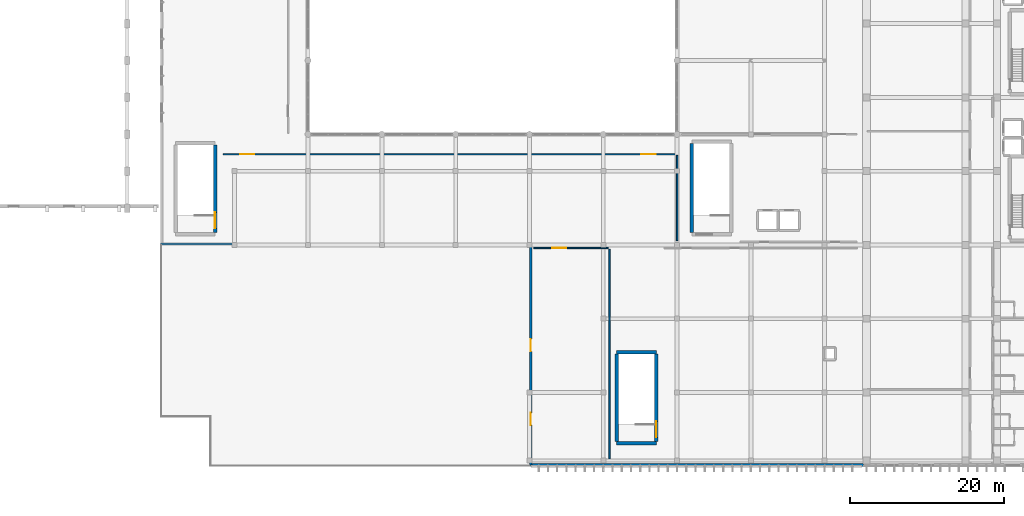
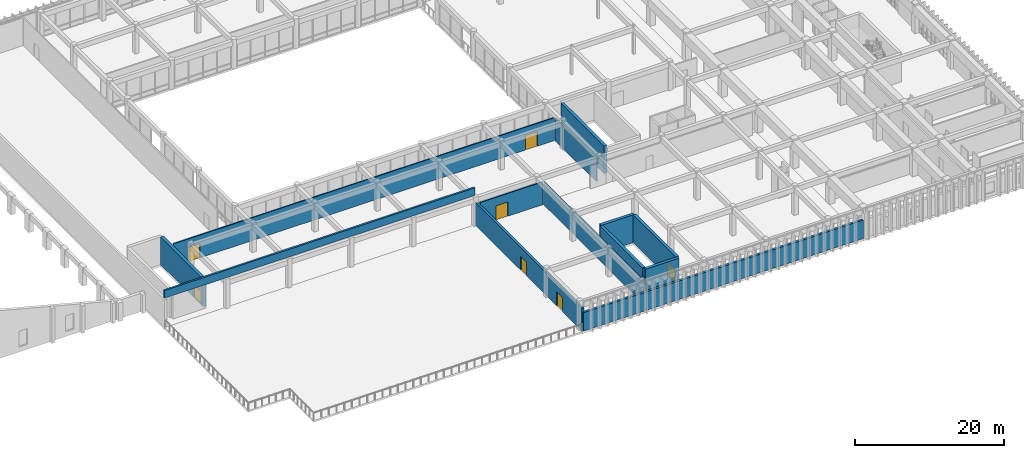
# One storey, part 73 of 101: 13 walls, 7 doors, 7 openings.
"""IFC4 building model written with IfcOpenShell, lengths in metres."""

from ifc_helpers import new_model, si_unit, direction, frame, frame_2d, origin, place, context, subcontext, project, spatial, rectangle, extrude, material, layer, layer_set, type_object, element, fill, save


model = new_model("IFC4")

# Units and contexts
model_context = context("Model", 3, precision=1e-05, world=origin(), true_north=direction((0.0, 1.0)))
body_context = subcontext(model_context, "Body", "Model", "MODEL_VIEW")
ifc_project = project(units=[si_unit("LENGTHUNIT", "METRE"), si_unit("AREAUNIT", "SQUARE_METRE"), si_unit("VOLUMEUNIT", "CUBIC_METRE"), si_unit("PLANEANGLEUNIT", "RADIAN"), si_unit("MASSUNIT", "GRAM", prefix="KILO")], contexts=[model_context])

# Site, building, storey
site_placement = place(None, origin())
site = spatial("IfcSite", under=ifc_project, at=site_placement, CompositionType="ELEMENT")
building_placement = place(site_placement, origin())
building = spatial("IfcBuilding", under=site, at=building_placement, Name="Nakhvara Creek Congress Hotel", CompositionType="ELEMENT")
storey_placement = place(building_placement, frame((0.0, 0.0, 16.199951171875)))
storey = spatial("IfcBuildingStorey", under=building, at=storey_placement, Name="L03", CompositionType="ELEMENT", Elevation=16.199951171875)

# Walls
ifc_material_1 = material(Name="Concrete C50/60", Category="concrete")
ifc_layer_1 = layer(ifc_material_1, 0.449951171875)
ifc_layer_set_1 = layer_set([ifc_layer_1], Name="Concrete C50/60")
wall_type_1 = type_object("IfcWallType", Name="W-CORE-450", PredefinedType="SHEAR", material=ifc_layer_set_1)
wall_1_placement = place(storey_placement, frame((126.72998046875, 30.39990234375, 0.0), z_axis=(0.0, 0.0, 1.0), x_axis=(0.0, 1.0, 0.0)))
element("IfcWall", 1, at=wall_1_placement, inside=storey, type_object=wall_type_1, Name="Core Shear Wall WS02-CWALL-L03-0838", PredefinedType="SHEAR", context=body_context, shape_type="SweptSolid", body=[
    extrude(rectangle(XDim=11.60009765625, YDim=0.449951171875, at=frame_2d((5.800048828125, 0.0))), origin(), (0.0, 0.0, 1.0), 4.5400390625),
])
for number, where, z_axis, x_axis, name in (
    (2, (116.949951171875, 2.97998046875, 0.0), (0.0, 0.0, 1.0), (1.0, 0.0, 0.0), "Core Shear Wall WS02-CWALL-L03-0975"),
    (3, (116.949951171875, 14.820068359375, 0.0), (0.0, 0.0, 1.0), (1.0, 0.0, 0.0), "Core Shear Wall WS02-CWALL-L03-0976"),
):
    element("IfcWall", number, at=place(storey_placement, frame(where, z_axis=z_axis, x_axis=x_axis)), inside=storey, type_object=wall_type_1, Name=name, PredefinedType="SHEAR", context=body_context, shape_type="SweptSolid", body=[
        extrude(rectangle(XDim=5.150146484375, YDim=0.449951171875, at=frame_2d((2.5751953125, 0.0))), origin(), (0.0, 0.0, 1.0), 4.5400390625),
    ])
wall_2_placement = place(storey_placement, frame((116.949951171875, 3.199951171875, 0.0), z_axis=(0.0, 0.0, 1.0), x_axis=(0.0, 1.0, 0.0)))
element("IfcWall", 4, at=wall_2_placement, inside=storey, type_object=wall_type_1, Name="Core Shear Wall WS02-CWALL-L03-0977", PredefinedType="SHEAR", context=body_context, shape_type="SweptSolid", body=[
    extrude(rectangle(XDim=11.400146484375, YDim=0.449951171875, at=frame_2d((5.7001953125, 0.0))), origin(), (0.0, 0.0, 1.0), 4.5400390625),
])

# Wall, opening, door
wall_3_placement = place(storey_placement, frame((122.10009765625, 3.199951171875, 0.0), z_axis=(0.0, 0.0, 1.0), x_axis=(0.0, 1.0, 0.0)))
wall_3 = element("IfcWall", 5, at=wall_3_placement, inside=storey, type_object=wall_type_1, Name="Core Shear Wall WS02-CWALL-L03-0978", PredefinedType="SHEAR", context=body_context, shape_type="SweptSolid", body=[
    extrude(rectangle(XDim=11.400146484375, YDim=0.449951171875, at=frame_2d((5.7001953125, 0.0))), origin(), (0.0, 0.0, 1.0), 4.5400390625),
])
opening_1_placement = place(wall_3_placement, frame((0.550048828125, 0.0, 0.0)))
opening_1 = element("IfcOpeningElement", 6, at=opening_1_placement, cuts=wall_3, Name="Opening FD19", PredefinedType="OPENING", context=body_context, shape_type="SweptSolid", body=[
    extrude(rectangle(XDim=2.10009765625, YDim=2.199951171875, at=frame_2d((1.050048828125, 1.10009765625))), frame((0.0, 0.23681640625, 0.0), z_axis=(0.0, -1.0, 0.0), x_axis=(1.0, 0.0, 0.0)), (0.0, 0.0, 1.0), 0.473876953125),
])
ifc_material_2 = material(Name="Galvanised steel acoustic fire door", Category="steel")
door_type_1 = type_object("IfcDoorType", Name="DT-STAIR-220", OperationType="DOUBLE_DOOR_SINGLE_SWING", PredefinedType="DOOR", material=ifc_material_2)
door_1_placement = place(opening_1_placement, frame((2.10009765625, 0.0, 0.0), z_axis=(0.0, 0.0, 1.0), x_axis=(-1.0, 0.0, 0.0)))
door_1 = element("IfcDoor", 7, at=door_1_placement, inside=storey, type_object=door_type_1, Name="Stair Exit Door ST12-L03", OperationType="DOUBLE_DOOR_SINGLE_SWING", OverallHeight=2.199951171875, OverallWidth=2.10009765625, PredefinedType="DOOR", context=body_context, shape_type="SweptSolid", body=[
    extrude(rectangle(XDim=2.10009765625, YDim=2.199951171875, at=frame_2d((1.050048828125, 1.10009765625))), frame((0.0, 0.02490234375, 0.0), z_axis=(0.0, -1.0, 0.0), x_axis=(1.0, 0.0, 0.0)), (0.0, 0.0, 1.0), 0.050048828125),
])
fill(opening_1, door_1)

wall_4_placement = place(storey_placement, frame((64.699951171875, 30.39990234375, 0.0), z_axis=(0.0, 0.0, 1.0), x_axis=(0.0, 1.0, 0.0)))
wall_4 = element("IfcWall", 8, at=wall_4_placement, inside=storey, type_object=wall_type_1, Name="Core Shear Wall WS02-CWALL-L03-1002", PredefinedType="SHEAR", context=body_context, shape_type="SweptSolid", body=[
    extrude(rectangle(XDim=11.400146484375, YDim=0.449951171875, at=frame_2d((5.7001953125, 0.0))), origin(), (0.0, 0.0, 1.0), 4.5400390625),
])
opening_2_placement = place(wall_4_placement, frame((0.550048828125, 0.0, 0.0)))
opening_2 = element("IfcOpeningElement", 9, at=opening_2_placement, cuts=wall_4, Name="Opening FD19", PredefinedType="OPENING", context=body_context, shape_type="SweptSolid", body=[
    extrude(rectangle(XDim=2.10009765625, YDim=2.199951171875, at=frame_2d((1.050048828125, 1.10009765625))), frame((0.0, 0.23681640625, 0.0), z_axis=(0.0, -1.0, 0.0), x_axis=(1.0, 0.0, 0.0)), (0.0, 0.0, 1.0), 0.473876953125),
])
door_2_placement = place(opening_2_placement, frame((2.10009765625, 0.0, 0.0), z_axis=(0.0, 0.0, 1.0), x_axis=(-1.0, 0.0, 0.0)))
door_2 = element("IfcDoor", 10, at=door_2_placement, inside=storey, type_object=door_type_1, Name="Stair Exit Door ST13-L03", OperationType="DOUBLE_DOOR_SINGLE_SWING", OverallHeight=2.199951171875, OverallWidth=2.10009765625, PredefinedType="DOOR", context=body_context, shape_type="SweptSolid", body=[
    extrude(rectangle(XDim=2.10009765625, YDim=2.199951171875, at=frame_2d((1.050048828125, 1.10009765625))), frame((0.0, 0.02490234375, 0.0), z_axis=(0.0, -1.0, 0.0), x_axis=(1.0, 0.0, 0.0)), (0.0, 0.0, 1.0), 0.050048828125),
])
fill(opening_2, door_2)

# Wall, openings, doors
ifc_material_3 = material(Name="Architectural GRC panel")
ifc_layer_2 = layer(ifc_material_3, 0.0400390625)
ifc_material_4 = material(Name="Mineral wool thermal insulation")
ifc_layer_3 = layer(ifc_material_4, 0.10009765625)
ifc_material_5 = material(Name="Precast concrete C40/50", Category="concrete")
ifc_layer_4 = layer(ifc_material_5, 0.199951171875)
ifc_layer_set_2 = layer_set([ifc_layer_2, ifc_layer_3, ifc_layer_4], Name="Precast concrete C40/50")
wall_type_2 = type_object("IfcWallType", Name="W-EXT-340", PredefinedType="SOLIDWALL", material=ifc_layer_set_2)
wall_5_placement = place(storey_placement, frame((105.77001953125, 0.14990234375, 0.0), z_axis=(0.0, 0.0, 1.0), x_axis=(0.0, 1.0, 0.0)))
wall_5 = element("IfcWall", 11, at=wall_5_placement, inside=storey, type_object=wall_type_2, Name="Exterior Wall WE04-EW-L03-0092", PredefinedType="SOLIDWALL", context=body_context, shape_type="SweptSolid", body=[
    extrude(rectangle(XDim=28.650146484375, YDim=0.340087890625, at=frame_2d((14.3251953125, 0.0))), origin(), (0.0, 0.0, 1.0), 3.73193359375),
])
opening_3_placement = place(wall_5_placement, frame((5.199951171875, 0.0, 0.0)))
opening_3 = element("IfcOpeningElement", 12, at=opening_3_placement, cuts=wall_5, Name="Opening TD03A", PredefinedType="OPENING", context=body_context, shape_type="SweptSolid", body=[
    extrude(rectangle(XDim=1.60009765625, YDim=2.25, at=frame_2d((0.800048828125, 1.125))), frame((0.0, 0.18212890625, 0.0), z_axis=(0.0, -1.0, 0.0), x_axis=(1.0, 0.0, 0.0)), (0.0, 0.0, 1.0), 0.364013671875),
])
opening_4_placement = place(wall_5_placement, frame((14.800048828125, 0.0, 0.0)))
opening_4 = element("IfcOpeningElement", 13, at=opening_4_placement, cuts=wall_5, Name="Opening TD03B", PredefinedType="OPENING", context=body_context, shape_type="SweptSolid", body=[
    extrude(rectangle(XDim=1.60009765625, YDim=2.25, at=frame_2d((0.800048828125, 1.125))), frame((0.0, 0.18212890625, 0.0), z_axis=(0.0, -1.0, 0.0), x_axis=(1.0, 0.0, 0.0)), (0.0, 0.0, 1.0), 0.364013671875),
])
ifc_material_6 = material(Name="Bronze-anodised aluminium and laminated low-E glass", Category="aluminium")
door_type_2 = type_object("IfcDoorType", Name="DT-EXT-TER160", OperationType="DOUBLE_DOOR_SINGLE_SWING", PredefinedType="DOOR", material=ifc_material_6)
door_3_placement = place(opening_3_placement, origin())
door_3 = element("IfcDoor", 14, at=door_3_placement, inside=storey, type_object=door_type_2, Name="Poolside Terrace Exit Door TD03A", OperationType="DOUBLE_DOOR_SINGLE_SWING", OverallHeight=2.25, OverallWidth=1.60009765625, PredefinedType="DOOR", context=body_context, shape_type="SweptSolid", body=[
    extrude(rectangle(XDim=1.60009765625, YDim=2.25, at=frame_2d((0.800048828125, 1.125))), frame((0.0, 0.02490234375, 0.0), z_axis=(0.0, -1.0, 0.0), x_axis=(1.0, 0.0, 0.0)), (0.0, 0.0, 1.0), 0.050048828125),
])
fill(opening_3, door_3)
door_4_placement = place(opening_4_placement, origin())
door_4 = element("IfcDoor", 15, at=door_4_placement, inside=storey, type_object=door_type_2, Name="Poolside Terrace Exit Door TD03B", OperationType="DOUBLE_DOOR_SINGLE_SWING", OverallHeight=2.25, OverallWidth=1.60009765625, PredefinedType="DOOR", context=body_context, shape_type="SweptSolid", body=[
    extrude(rectangle(XDim=1.60009765625, YDim=2.25, at=frame_2d((0.800048828125, 1.125))), frame((0.0, 0.02490234375, 0.0), z_axis=(0.0, -1.0, 0.0), x_axis=(1.0, 0.0, 0.0)), (0.0, 0.0, 1.0), 0.050048828125),
])
fill(opening_4, door_4)

# Wall
wall_6_placement = place(storey_placement, frame((149.050048828125, 0.169921875, 0.0), z_axis=(0.0, 0.0, 1.0), x_axis=(-1.0, 0.0, 0.0)))
element("IfcWall", 16, at=wall_6_placement, inside=storey, type_object=wall_type_2, Name="Exterior Wall WE04-EW-L03-0093", PredefinedType="SOLIDWALL", context=body_context, shape_type="SweptSolid", body=[
    extrude(rectangle(XDim=43.300048828125, YDim=0.340087890625, at=frame_2d((21.64990234375, 0.0))), origin(), (0.0, 0.0, 1.0), 3.031982421875),
])

# Wall, openings, doors
ifc_material_7 = material(Name="Gypsum acoustic board on steel stud", Category="steel")
ifc_layer_5 = layer(ifc_material_7, 0.179931640625)
ifc_layer_set_3 = layer_set([ifc_layer_5], Name="Gypsum acoustic board on steel stud")
wall_type_3 = type_object("IfcWallType", Name="W-MEET-180", PredefinedType="PARTITIONING", material=ifc_layer_set_3)
wall_7_placement = place(storey_placement, frame((65.75, 40.60009765625, 0.0), z_axis=(0.0, 0.0, 1.0), x_axis=(1.0, 0.0, 0.0)))
wall_7 = element("IfcWall", 17, at=wall_7_placement, inside=storey, type_object=wall_type_3, Name="Interior Wall WP13-IW-L03-0216", PredefinedType="PARTITIONING", context=body_context, shape_type="SweptSolid", body=[
    extrude(rectangle(XDim=58.89990234375, YDim=0.179931640625, at=frame_2d((29.449951171875, 0.0))), origin(), (0.0, 0.0, 1.0), 3.73193359375),
])
opening_5_placement = place(wall_7_placement, frame((2.199951171875, 0.0, 0.0)))
opening_5 = element("IfcOpeningElement", 18, at=opening_5_placement, cuts=wall_7, Name="Opening MD01", PredefinedType="OPENING", context=body_context, shape_type="SweptSolid", body=[
    extrude(rectangle(XDim=1.85009765625, YDim=2.35009765625, at=frame_2d((0.925048828125, 1.175048828125))), frame((0.0, 0.10205078125, 0.0), z_axis=(0.0, -1.0, 0.0), x_axis=(1.0, 0.0, 0.0)), (0.0, 0.0, 1.0), 0.203857421875),
])
opening_6_placement = place(wall_7_placement, frame((54.39990234375, 0.0, 0.0)))
opening_6 = element("IfcOpeningElement", 19, at=opening_6_placement, cuts=wall_7, Name="Opening MD01", PredefinedType="OPENING", context=body_context, shape_type="SweptSolid", body=[
    extrude(rectangle(XDim=1.85009765625, YDim=2.35009765625, at=frame_2d((0.925048828125, 1.175048828125))), frame((0.0, 0.10205078125, 0.0), z_axis=(0.0, -1.0, 0.0), x_axis=(1.0, 0.0, 0.0)), (0.0, 0.0, 1.0), 0.203857421875),
])
ifc_material_8 = material(Name="Acoustic walnut timber double door", Category="wood")
door_type_3 = type_object("IfcDoorType", Name="DT-MEET-185", OperationType="DOUBLE_DOOR_SINGLE_SWING", PredefinedType="DOOR", material=ifc_material_8)
door_5_placement = place(opening_5_placement, origin())
door_5 = element("IfcDoor", 20, at=door_5_placement, inside=storey, type_object=door_type_3, Name="Interior Door MD01-0196", OperationType="DOUBLE_DOOR_SINGLE_SWING", OverallHeight=2.35009765625, OverallWidth=1.85009765625, PredefinedType="DOOR", context=body_context, shape_type="SweptSolid", body=[
    extrude(rectangle(XDim=1.85009765625, YDim=2.35009765625, at=frame_2d((0.925048828125, 1.175048828125))), frame((0.0, 0.02490234375, 0.0), z_axis=(0.0, -1.0, 0.0), x_axis=(1.0, 0.0, 0.0)), (0.0, 0.0, 1.0), 0.050048828125),
])
fill(opening_5, door_5)
door_6_placement = place(opening_6_placement, origin())
door_6 = element("IfcDoor", 21, at=door_6_placement, inside=storey, type_object=door_type_3, Name="Interior Door MD01-0197", OperationType="DOUBLE_DOOR_SINGLE_SWING", OverallHeight=2.35009765625, OverallWidth=1.85009765625, PredefinedType="DOOR", context=body_context, shape_type="SweptSolid", body=[
    extrude(rectangle(XDim=1.85009765625, YDim=2.35009765625, at=frame_2d((0.925048828125, 1.175048828125))), frame((0.0, 0.02490234375, 0.0), z_axis=(0.0, -1.0, 0.0), x_axis=(1.0, 0.0, 0.0)), (0.0, 0.0, 1.0), 0.050048828125),
])
fill(opening_6, door_6)

# Wall, opening, door
wall_8_placement = place(storey_placement, frame((106.14990234375, 28.39990234375, 0.0), z_axis=(0.0, 0.0, 1.0), x_axis=(1.0, 0.0, 0.0)))
wall_8 = element("IfcWall", 22, at=wall_8_placement, inside=storey, type_object=wall_type_3, Name="Interior Wall WP13-IW-L03-0226", PredefinedType="PARTITIONING", context=body_context, shape_type="SweptSolid", body=[
    extrude(rectangle(XDim=9.7001953125, YDim=0.179931640625, at=frame_2d((4.85009765625, 0.0))), origin(), (0.0, 0.0, 1.0), 3.73193359375),
])
opening_7_placement = place(wall_8_placement, frame((2.39990234375, 0.0, 0.0)))
opening_7 = element("IfcOpeningElement", 23, at=opening_7_placement, cuts=wall_8, Name="Opening MD01", PredefinedType="OPENING", context=body_context, shape_type="SweptSolid", body=[
    extrude(rectangle(XDim=1.85009765625, YDim=2.35009765625, at=frame_2d((0.925048828125, 1.175048828125))), frame((0.0, 0.10205078125, 0.0), z_axis=(0.0, -1.0, 0.0), x_axis=(1.0, 0.0, 0.0)), (0.0, 0.0, 1.0), 0.203857421875),
])
door_7_placement = place(opening_7_placement, origin())
door_7 = element("IfcDoor", 24, at=door_7_placement, inside=storey, type_object=door_type_3, Name="Interior Door MD01-0208", OperationType="DOUBLE_DOOR_SINGLE_SWING", OverallHeight=2.35009765625, OverallWidth=1.85009765625, PredefinedType="DOOR", context=body_context, shape_type="SweptSolid", body=[
    extrude(rectangle(XDim=1.85009765625, YDim=2.35009765625, at=frame_2d((0.925048828125, 1.175048828125))), frame((0.0, 0.02490234375, 0.0), z_axis=(0.0, -1.0, 0.0), x_axis=(1.0, 0.0, 0.0)), (0.0, 0.0, 1.0), 0.050048828125),
])
fill(opening_7, door_7)

# Walls
wall_9_placement = place(storey_placement, frame((116.0, 0.949951171875, 0.0), z_axis=(0.0, 0.0, 1.0), x_axis=(0.0, 1.0, 0.0)))
element("IfcWall", 25, at=wall_9_placement, inside=storey, type_object=wall_type_3, Name="Interior Wall WP13-IW-L03-0227", PredefinedType="PARTITIONING", context=body_context, shape_type="SweptSolid", body=[
    extrude(rectangle(XDim=27.300048828125, YDim=0.179931640625, at=frame_2d((13.64990234375, 0.0))), origin(), (0.0, 0.0, 1.0), 3.73193359375),
])
ifc_layer_6 = layer(ifc_material_5, 0.280029296875)
ifc_layer_set_4 = layer_set([ifc_layer_6], Name="Precast concrete C40/50")
wall_type_4 = type_object("IfcWallType", Name="W-PAR-280", PredefinedType="PARAPET", material=ifc_layer_set_4)
wall_10_placement = place(storey_placement, frame((57.60009765625, 28.93994140625, 4.800048828125), z_axis=(0.0, 0.0, 1.0), x_axis=(1.0, 0.0, 0.0)))
element("IfcWall", 26, at=wall_10_placement, inside=storey, type_object=wall_type_4, Name="Exterior Wall WP01-EW-L03-0259", PredefinedType="PARAPET", context=body_context, shape_type="SweptSolid", body=[
    extrude(rectangle(XDim=48.0, YDim=0.280029296875, at=frame_2d((24.0, 0.0))), origin(), (0.0, 0.0, 1.0), 1.25),
])
ifc_layer_7 = layer(ifc_material_7, 0.199951171875)
ifc_layer_set_5 = layer_set([ifc_layer_7], Name="Gypsum acoustic board on steel stud")
wall_type_5 = type_object("IfcWallType", Name="W-PART-200", PredefinedType="PARTITIONING", material=ifc_layer_set_5)
wall_11_placement = place(storey_placement, frame((124.800048828125, 29.35009765625, 0.0), z_axis=(0.0, 0.0, 1.0), x_axis=(0.0, 1.0, 0.0)))
element("IfcWall", 27, at=wall_11_placement, inside=storey, type_object=wall_type_5, Name="Interior Wall WP12-IW-L03-0217", PredefinedType="PARTITIONING", context=body_context, shape_type="SweptSolid", body=[
    extrude(rectangle(XDim=11.099853515625, YDim=0.199951171875, at=frame_2d((5.5498046875, 0.0))), origin(), (0.0, 0.0, 1.0), 3.73193359375),
])

save(model, "model.ifc")
